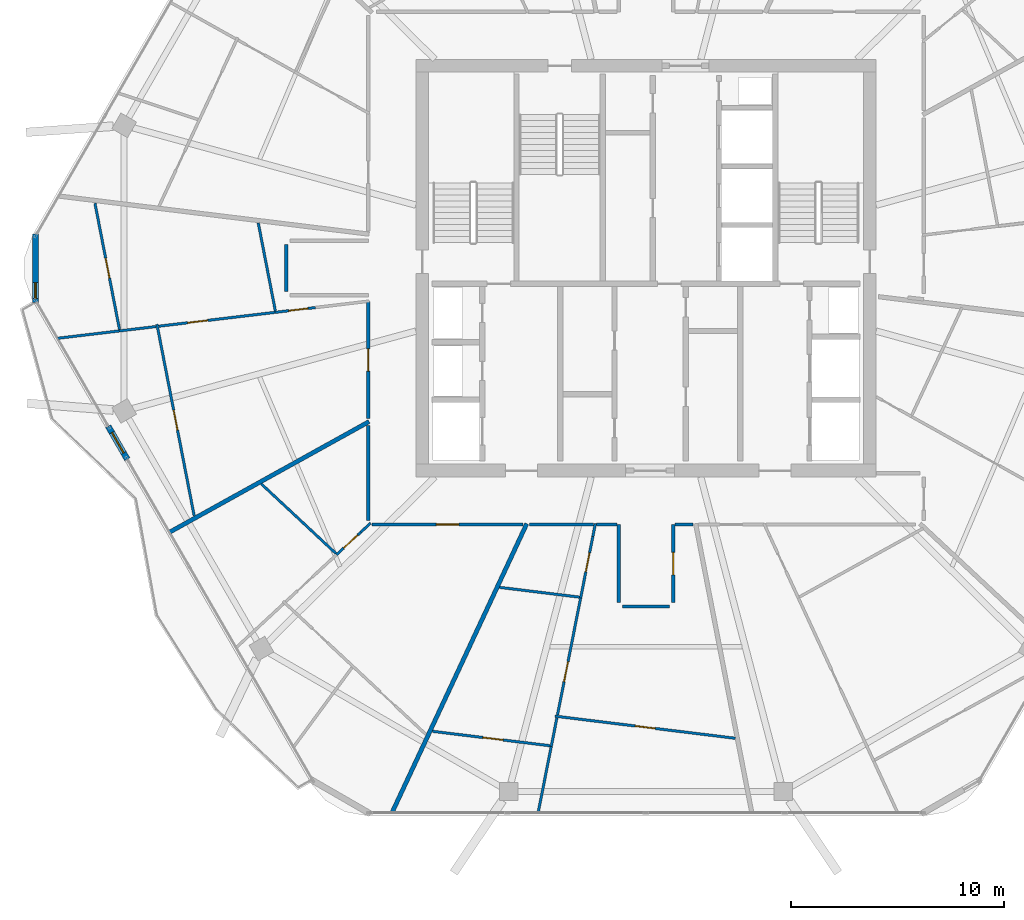
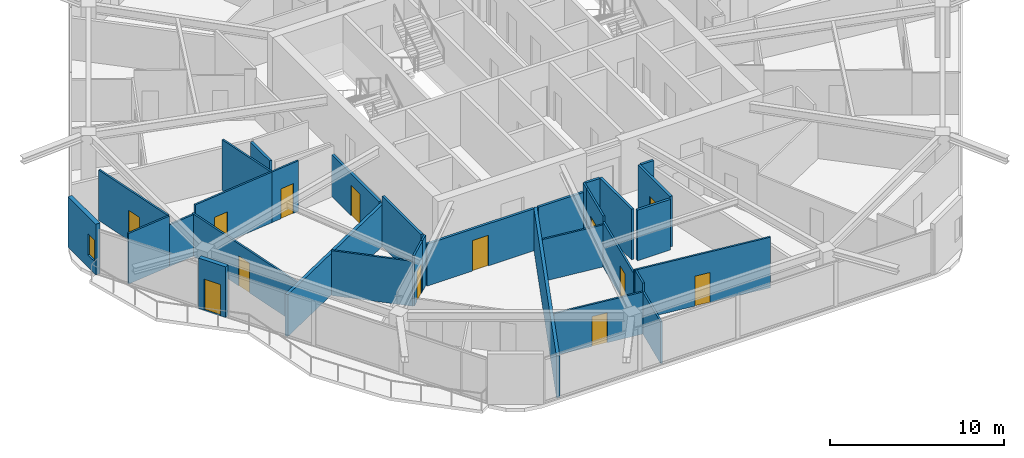
# One storey, part 18 of 26: 32 walls, 13 doors, 1 window, 14 openings.
"""IFC4 building model written with IfcOpenShell, lengths in metres."""

from ifc_helpers import new_model, si_unit, direction, frame, frame_2d, origin, place, context, subcontext, project, spatial, rectangle, extrude, material, layer, layer_set, type_object, element, fill, save


model = new_model("IFC4")

# Units and contexts
model_context = context("Model", 3, precision=1e-05, world=origin(), true_north=direction((0.0, 1.0)))
body_context = subcontext(model_context, "Body", "Model", "MODEL_VIEW")
ifc_project = project(units=[si_unit("LENGTHUNIT", "METRE"), si_unit("AREAUNIT", "SQUARE_METRE"), si_unit("VOLUMEUNIT", "CUBIC_METRE"), si_unit("PLANEANGLEUNIT", "RADIAN"), si_unit("MASSUNIT", "GRAM", prefix="KILO")], contexts=[model_context])

# Site, building, storey
site_placement = place(None, origin())
site = spatial("IfcSite", under=ifc_project, at=site_placement, CompositionType="ELEMENT")
building_placement = place(site_placement, origin())
building = spatial("IfcBuilding", under=site, at=building_placement, Name="Zuhravey Tower", CompositionType="ELEMENT")
storey_placement = place(building_placement, frame((0.0, 0.0, 273.0)))
storey = spatial("IfcBuildingStorey", under=building, at=storey_placement, Name="L69", CompositionType="ELEMENT", Elevation=273.0)

# Wall, opening, door
ifc_material_1 = material(Name="Gypsum fire-rated stud partition")
ifc_layer_1 = layer(ifc_material_1, 0.159912109375)
ifc_layer_set_1 = layer_set([ifc_layer_1], Name="Gypsum fire-rated stud partition")
wall_type_1 = type_object("IfcWallType", Name="Corridor Fire Partition 160", PredefinedType="PARTITIONING", material=ifc_layer_set_1)
wall_1_placement = place(storey_placement, frame((22.969970703125, 30.426025390625, 0.0), z_axis=(0.0, 0.0, 1.0), x_axis=(0.0, -1.0, 0.0)))
wall_1 = element("IfcWall", 1, at=wall_1_placement, inside=storey, type_object=wall_type_1, Name="L69 IW16 Partition 031", PredefinedType="PARTITIONING", context=body_context, shape_type="SweptSolid", body=[
    extrude(rectangle(XDim=5.47802734375, YDim=0.159912109375, at=frame_2d((2.739013671875, 0.0))), origin(), (0.0, 0.0, 1.0), 2.949951171875),
])
opening_1_placement = place(wall_1_placement, frame((2.214111328125, 0.0, 0.0)))
opening_1 = element("IfcOpeningElement", 2, at=opening_1_placement, cuts=wall_1, Name="Opening APD1", PredefinedType="OPENING", context=body_context, shape_type="SweptSolid", body=[
    extrude(rectangle(XDim=1.050048828125, YDim=2.14990234375, at=frame_2d((0.52490234375, 1.074951171875))), frame((0.0, 0.092041015625, 0.0), z_axis=(0.0, -1.0, 0.0), x_axis=(1.0, 0.0, 0.0)), (0.0, 0.0, 1.0), 0.183837890625),
])
ifc_material_2 = material(Name="Solid-core oak fire-rated leaf")
door_type_1 = type_object("IfcDoorType", Name="Apartment Entrance Fire Door 1050x2150", OperationType="NOTDEFINED", PredefinedType="DOOR", material=ifc_material_2)
door_1_placement = place(opening_1_placement, frame((1.050048828125, 0.0, 0.0), z_axis=(0.0, 0.0, 1.0), x_axis=(-1.0, 0.0, 0.0)))
door_1 = element("IfcDoor", 3, at=door_1_placement, inside=storey, type_object=door_type_1, Name="L69 Door 031.1", OperationType="SINGLE_SWING_LEFT", OverallHeight=2.14990234375, OverallWidth=1.050048828125, PredefinedType="DOOR", context=body_context, shape_type="SweptSolid", body=[
    extrude(rectangle(XDim=1.050048828125, YDim=2.14990234375, at=frame_2d((0.52490234375, 1.074951171875))), frame((0.0, 0.02490234375, 0.0), z_axis=(0.0, -1.0, 0.0), x_axis=(1.0, 0.0, 0.0)), (0.0, 0.0, 1.0), 0.050048828125),
])
fill(opening_1, door_1)

wall_2_placement = place(storey_placement, frame((23.14990234375, 19.969970703125, 0.0), z_axis=(0.0, 0.0, 1.0), x_axis=(1.0, 0.0, 0.0)))
wall_2 = element("IfcWall", 4, at=wall_2_placement, inside=storey, type_object=wall_type_1, Name="L69 IW16 Partition 036", PredefinedType="PARTITIONING", context=body_context, shape_type="SweptSolid", body=[
    extrude(rectangle(XDim=7.08984375, YDim=0.159912109375, at=frame_2d((3.544921875, 0.0))), origin(), (0.0, 0.0, 1.0), 2.949951171875),
])
opening_2_placement = place(wall_2_placement, frame((3.02001953125, 0.0, 0.0)))
opening_2 = element("IfcOpeningElement", 5, at=opening_2_placement, cuts=wall_2, Name="Opening APD1", PredefinedType="OPENING", context=body_context, shape_type="SweptSolid", body=[
    extrude(rectangle(XDim=1.050048828125, YDim=2.14990234375, at=frame_2d((0.52490234375, 1.074951171875))), frame((0.0, 0.092041015625, 0.0), z_axis=(0.0, -1.0, 0.0), x_axis=(1.0, 0.0, 0.0)), (0.0, 0.0, 1.0), 0.183837890625),
])
door_2_placement = place(opening_2_placement, frame((1.050048828125, 0.0, 0.0), z_axis=(0.0, 0.0, 1.0), x_axis=(-1.0, 0.0, 0.0)))
door_2 = element("IfcDoor", 6, at=door_2_placement, inside=storey, type_object=door_type_1, Name="L69 Door 036.1", OperationType="SINGLE_SWING_RIGHT", OverallHeight=2.14990234375, OverallWidth=1.050048828125, PredefinedType="DOOR", context=body_context, shape_type="SweptSolid", body=[
    extrude(rectangle(XDim=1.050048828125, YDim=2.14990234375, at=frame_2d((0.52490234375, 1.074951171875))), frame((0.0, 0.02490234375, 0.0), z_axis=(0.0, -1.0, 0.0), x_axis=(1.0, 0.0, 0.0)), (0.0, 0.0, 1.0), 0.050048828125),
])
fill(opening_2, door_2)

wall_3_placement = place(storey_placement, frame((37.280029296875, 16.300048828125, 0.0), z_axis=(0.0, 0.0, 1.0), x_axis=(0.0, 1.0, 0.0)))
wall_3 = element("IfcWall", 7, at=wall_3_placement, inside=storey, type_object=wall_type_1, Name="L69 IW16 Partition 042", PredefinedType="PARTITIONING", context=body_context, shape_type="SweptSolid", body=[
    extrude(rectangle(XDim=3.669921875, YDim=0.159912109375, at=frame_2d((1.8349609375, 0.0))), origin(), (0.0, 0.0, 1.0), 3.550048828125),
])
opening_3_placement = place(wall_3_placement, frame((1.31005859375, 0.0, 0.0)))
opening_3 = element("IfcOpeningElement", 8, at=opening_3_placement, cuts=wall_3, Name="Opening APD1", PredefinedType="OPENING", context=body_context, shape_type="SweptSolid", body=[
    extrude(rectangle(XDim=1.050048828125, YDim=2.14990234375, at=frame_2d((0.52490234375, 1.074951171875))), frame((0.0, 0.092041015625, 0.0), z_axis=(0.0, -1.0, 0.0), x_axis=(1.0, 0.0, 0.0)), (0.0, 0.0, 1.0), 0.183837890625),
])
door_3_placement = place(opening_3_placement, origin())
door_3 = element("IfcDoor", 9, at=door_3_placement, inside=storey, type_object=door_type_1, Name="L69 Door 042.1", OperationType="SINGLE_SWING_LEFT", OverallHeight=2.14990234375, OverallWidth=1.050048828125, PredefinedType="DOOR", context=body_context, shape_type="SweptSolid", body=[
    extrude(rectangle(XDim=1.050048828125, YDim=2.14990234375, at=frame_2d((0.52490234375, 1.074951171875))), frame((0.0, 0.02490234375, 0.0), z_axis=(0.0, -1.0, 0.0), x_axis=(1.0, 0.0, 0.0)), (0.0, 0.0, 1.0), 0.050048828125),
])
fill(opening_3, door_3)

# Walls
wall_4_placement = place(storey_placement, frame((19.1201171875, 33.10009765625, 0.0), z_axis=(0.0, 0.0, 1.0), x_axis=(0.0, -1.0, 0.0)))
element("IfcWall", 10, at=wall_4_placement, inside=storey, type_object=wall_type_1, Name="L69 IW16 Partition 116", PredefinedType="PARTITIONING", context=body_context, shape_type="SweptSolid", body=[
    extrude(rectangle(XDim=2.2001953125, YDim=0.159912109375, at=frame_2d((1.10009765625, 0.0))), origin(), (0.0, 0.0, 1.0), 3.550048828125),
])
wall_5_placement = place(storey_placement, frame((22.969970703125, 24.60498046875, 0.0), z_axis=(0.0, 0.0, 1.0), x_axis=(0.0, -1.0, 0.0)))
element("IfcWall", 11, at=wall_5_placement, inside=storey, type_object=wall_type_1, Name="L69 IW16 Partition 117", PredefinedType="PARTITIONING", context=body_context, shape_type="SweptSolid", body=[
    extrude(rectangle(XDim=4.455078125, YDim=0.159912109375, at=frame_2d((2.2275390625, 0.0))), origin(), (0.0, 0.0, 1.0), 3.550048828125),
])
wall_6_placement = place(storey_placement, frame((34.719970703125, 19.969970703125, 0.0), z_axis=(0.0, 0.0, 1.0), x_axis=(0.0, -1.0, 0.0)))
element("IfcWall", 12, at=wall_6_placement, inside=storey, type_object=wall_type_1, Name="L69 IW16 Partition 118", PredefinedType="PARTITIONING", context=body_context, shape_type="SweptSolid", body=[
    extrude(rectangle(XDim=3.669921875, YDim=0.159912109375, at=frame_2d((1.8349609375, 0.0))), origin(), (0.0, 0.0, 1.0), 3.550048828125),
])
wall_7_placement = place(storey_placement, frame((34.89990234375, 16.1201171875, 0.0), z_axis=(0.0, 0.0, 1.0), x_axis=(1.0, 0.0, 0.0)))
element("IfcWall", 13, at=wall_7_placement, inside=storey, type_object=wall_type_1, Name="L69 IW16 Partition 119", PredefinedType="PARTITIONING", context=body_context, shape_type="SweptSolid", body=[
    extrude(rectangle(XDim=2.2001953125, YDim=0.159912109375, at=frame_2d((1.10009765625, 0.0))), origin(), (0.0, 0.0, 1.0), 3.550048828125),
])
wall_8_placement = place(storey_placement, frame((33.687255859375, 19.969970703125, 0.0), z_axis=(0.0, 0.0, 1.0), x_axis=(1.0, 0.0, 0.0)))
element("IfcWall", 14, at=wall_8_placement, inside=storey, type_object=wall_type_1, Name="L69 IW16 Partition 120", PredefinedType="PARTITIONING", context=body_context, shape_type="SweptSolid", body=[
    extrude(rectangle(XDim=0.94482421875, YDim=0.159912109375, at=frame_2d((0.472412109375, 0.0))), origin(), (0.0, 0.0, 1.0), 3.550048828125),
])
wall_9_placement = place(storey_placement, frame((37.367919921875, 19.969970703125, 0.0), z_axis=(0.0, 0.0, 1.0), x_axis=(1.0, 0.0, 0.0)))
element("IfcWall", 15, at=wall_9_placement, inside=storey, type_object=wall_type_1, Name="L69 IW16 Partition 121", PredefinedType="PARTITIONING", context=body_context, shape_type="SweptSolid", body=[
    extrude(rectangle(XDim=0.84130859375, YDim=0.159912109375, at=frame_2d((0.420654296875, 0.0))), origin(), (0.0, 0.0, 1.0), 3.550048828125),
])
wall_10_placement = place(storey_placement, frame((30.53955078125, 19.969970703125, 0.0), z_axis=(0.0, 0.0, 1.0), x_axis=(1.0, 0.0, 0.0)))
element("IfcWall", 16, at=wall_10_placement, inside=storey, type_object=wall_type_1, Name="L69 IW16 Partition 122", PredefinedType="PARTITIONING", context=body_context, shape_type="SweptSolid", body=[
    extrude(rectangle(XDim=3.009033203125, YDim=0.159912109375, at=frame_2d((1.50439453125, 0.0))), origin(), (0.0, 0.0, 1.0), 2.949951171875),
])

# Wall, opening, door
ifc_material_3 = material(Name="Precast concrete C40/50", Category="concrete")
ifc_layer_2 = layer(ifc_material_3, 0.280029296875)
ifc_layer_set_2 = layer_set([ifc_layer_2], Name="Precast concrete C40/50")
wall_type_2 = type_object("IfcWallType", Name="Crown Architectural Wall 280", PredefinedType="SOLIDWALL", material=ifc_layer_set_2)
wall_11_placement = place(storey_placement, frame((11.66162109375, 23.028076171875, 0.0), z_axis=(0.0, 0.0, 1.0), x_axis=(-0.499982180423, 0.866035691677, 0.0)))
wall_11 = element("IfcWall", 17, at=wall_11_placement, inside=storey, type_object=wall_type_2, Name="L69 Face 4 Facade Pier EW28-1", PredefinedType="SOLIDWALL", context=body_context, shape_type="SweptSolid", body=[
    extrude(rectangle(XDim=1.7900390625, YDim=0.280029296875, at=frame_2d((0.89501953125, 0.0))), origin(), (0.0, 0.0, 1.0), 3.550048828125),
])
opening_4_placement = place(wall_11_placement, frame((0.344970703125, 0.0, 0.0)))
opening_4 = element("IfcOpeningElement", 18, at=opening_4_placement, cuts=wall_11, Name="Opening BLD1", PredefinedType="OPENING", context=body_context, shape_type="SweptSolid", body=[
    extrude(rectangle(XDim=1.10009765625, YDim=2.199951171875, at=frame_2d((0.550048828125, 1.10009765625))), frame((0.0, 0.152099609375, 0.0), z_axis=(0.0, -1.0, 0.0), x_axis=(1.0, 0.0, 0.0)), (0.0, 0.0, 1.0), 0.303955078125),
])
ifc_material_4 = material(Name="Thermally broken aluminium and low-E glass", Category="aluminium")
door_type_2 = type_object("IfcDoorType", Name="Balcony & Sky-Tray Glazed Door 1100x2200", OperationType="NOTDEFINED", PredefinedType="DOOR", material=ifc_material_4)
door_4_placement = place(opening_4_placement, frame((1.10009765625, 0.0, 0.0), z_axis=(0.0, 0.0, 1.0), x_axis=(-1.0, 0.0, 0.0)))
door_4 = element("IfcDoor", 19, at=door_4_placement, inside=storey, type_object=door_type_2, Name="L69 Face 4 Wave Balcony Door", OperationType="SINGLE_SWING_LEFT", OverallHeight=2.199951171875, OverallWidth=1.10009765625, PredefinedType="DOOR", context=body_context, shape_type="SweptSolid", body=[
    extrude(rectangle(XDim=1.10009765625, YDim=2.199951171875, at=frame_2d((0.550048828125, 1.10009765625))), frame((0.0, 0.02490234375, 0.0), z_axis=(0.0, -1.0, 0.0), x_axis=(1.0, 0.0, 0.0)), (0.0, 0.0, 1.0), 0.050048828125),
])
fill(opening_4, door_4)

# Wall, opening, window
wall_12_placement = place(storey_placement, frame((7.35498046875, 30.392578125, 0.0), z_axis=(0.0, 0.0, 1.0), x_axis=(0.0, 1.0, 0.0)))
wall_12 = element("IfcWall", 20, at=wall_12_placement, inside=storey, type_object=wall_type_2, Name="L69 Rounded Corner Closure Wall EW28-06", PredefinedType="SOLIDWALL", context=body_context, shape_type="SweptSolid", body=[
    extrude(rectangle(XDim=3.21484375, YDim=0.280029296875, at=frame_2d((1.607421875, 0.0))), origin(), (0.0, 0.0, 1.0), 3.550048828125),
])
opening_5_placement = place(wall_12_placement, frame((0.17578125, 0.0, 0.85009765625)))
opening_5 = element("IfcOpeningElement", 21, at=opening_5_placement, cuts=wall_12, Name="Opening WN5", PredefinedType="OPENING", context=body_context, shape_type="SweptSolid", body=[
    extrude(rectangle(XDim=0.75, YDim=1.5, at=frame_2d((0.375, 0.75))), frame((0.0, 0.152099609375, 0.0), z_axis=(0.0, -1.0, 0.0), x_axis=(1.0, 0.0, 0.0)), (0.0, 0.0, 1.0), 0.303955078125),
])
ifc_material_5 = material(Name="Thermally broken aluminium and triple low-E glass", Category="aluminium")
window_type = type_object("IfcWindowType", Name="Residential Corner Casement Window 750x1500", PartitioningType="SINGLE_PANEL", PredefinedType="WINDOW", material=ifc_material_5)
window_placement = place(opening_5_placement, origin())
window = element("IfcWindow", 22, at=window_placement, inside=storey, type_object=window_type, Name="L69 Corner Casement Window WN5-06.1", OverallHeight=1.5, OverallWidth=0.75, PartitioningType="SINGLE_PANEL", PredefinedType="WINDOW", context=body_context, shape_type="SweptSolid", body=[
    extrude(rectangle(XDim=0.75, YDim=1.5, at=frame_2d((0.375, 0.75))), frame((0.0, 0.030029296875, 0.0), z_axis=(0.0, -1.0, 0.0), x_axis=(1.0, 0.0, 0.0)), (0.0, 0.0, 1.0), 0.06005859375),
])
fill(opening_5, window)

# Walls
ifc_material_6 = material(Name="Gypsum double-stud party assembly")
ifc_layer_3 = layer(ifc_material_6, 0.199951171875)
ifc_layer_set_3 = layer_set([ifc_layer_3], Name="Gypsum double-stud party assembly")
wall_type_3 = type_object("IfcWallType", Name="Inter-Tenancy Party Wall 200", PredefinedType="PARTITIONING", material=ifc_layer_set_3)
wall_13_placement = place(storey_placement, frame((23.010009765625, 24.799560546875, 0.0), z_axis=(0.0, 0.0, 1.0), x_axis=(-0.874612572959, -0.484822490426, 0.0)))
element("IfcWall", 23, at=wall_13_placement, inside=storey, type_object=wall_type_3, Name="L69 IW20 Partition 082", PredefinedType="PARTITIONING", context=body_context, shape_type="SweptSolid", body=[
    extrude(rectangle(XDim=10.71533203125, YDim=0.199951171875, at=frame_2d((5.357666015625, 0.0))), origin(), (0.0, 0.0, 1.0), 2.929931640625),
])
wall_14_placement = place(storey_placement, frame((30.408935546875, 20.010009765625, 0.0), z_axis=(0.0, 0.0, 1.0), x_axis=(-0.422607909104, -0.906312614479, 0.0)))
element("IfcWall", 24, at=wall_14_placement, inside=storey, type_object=wall_type_3, Name="L69 IW20 Partition 086", PredefinedType="PARTITIONING", context=body_context, shape_type="SweptSolid", body=[
    extrude(rectangle(XDim=14.976806640625, YDim=0.199951171875, at=frame_2d((7.48828125, 0.0))), origin(), (0.0, 0.0, 1.0), 2.929931640625),
])

# Wall, opening, door
ifc_material_7 = material(Name="Gypsum metal-stud partition")
ifc_layer_4 = layer(ifc_material_7, 0.1201171875)
ifc_layer_set_4 = layer_set([ifc_layer_4], Name="Gypsum metal-stud partition")
wall_type_4 = type_object("IfcWallType", Name="Unit Internal Partition 120", PredefinedType="PARTITIONING", material=ifc_layer_set_4)
wall_15_placement = place(storey_placement, frame((13.052734375, 29.364501953125, 0.0), z_axis=(0.0, 0.0, 1.0), x_axis=(0.190811857209, -0.981626627159, 0.0)))
wall_15 = element("IfcWall", 25, at=wall_15_placement, inside=storey, type_object=wall_type_4, Name="L69 IW12 Partition 026", PredefinedType="PARTITIONING", context=body_context, shape_type="SweptSolid", body=[
    extrude(rectangle(XDim=9.1572265625, YDim=0.1201171875, at=frame_2d((4.57861328125, 0.0))), origin(), (0.0, 0.0, 1.0), 2.949951171875),
])
opening_6_placement = place(wall_15_placement, frame((4.103515625, 0.0, 0.0)))
opening_6 = element("IfcOpeningElement", 26, at=opening_6_placement, cuts=wall_15, Name="Opening IND1", PredefinedType="OPENING", context=body_context, shape_type="SweptSolid", body=[
    extrude(rectangle(XDim=0.949951171875, YDim=2.10009765625, at=frame_2d((0.47509765625, 1.050048828125))), frame((0.0, 0.072021484375, 0.0), z_axis=(0.0, -1.0, 0.0), x_axis=(1.0, 0.0, 0.0)), (0.0, 0.0, 1.0), 0.14404296875),
])
ifc_material_8 = material(Name="Painted engineered timber leaf", Category="wood")
door_type_3 = type_object("IfcDoorType", Name="Internal Room & Bedroom Door 950x2100", OperationType="NOTDEFINED", PredefinedType="DOOR", material=ifc_material_8)
door_5_placement = place(opening_6_placement, frame((0.949951171875, 0.0, 0.0), z_axis=(0.0, 0.0, 1.0), x_axis=(-1.0, 0.0, 0.0)))
door_5 = element("IfcDoor", 27, at=door_5_placement, inside=storey, type_object=door_type_3, Name="Apartment L69-02 Family Study Door", OperationType="SINGLE_SWING_LEFT", OverallHeight=2.10009765625, OverallWidth=0.949951171875, PredefinedType="DOOR", context=body_context, shape_type="SweptSolid", body=[
    extrude(rectangle(XDim=0.949951171875, YDim=2.10009765625, at=frame_2d((0.47509765625, 1.050048828125))), frame((0.0, 0.02490234375, 0.0), z_axis=(0.0, -1.0, 0.0), x_axis=(1.0, 0.0, 0.0)), (0.0, 0.0, 1.0), 0.050048828125),
])
fill(opening_6, door_5)

wall_16_placement = place(storey_placement, frame((20.485595703125, 30.14990234375, 0.0), z_axis=(0.0, 0.0, 1.0), x_axis=(-0.992972480761, -0.118345479222, 0.0)))
wall_16 = element("IfcWall", 28, at=wall_16_placement, inside=storey, type_object=wall_type_4, Name="L69 IW12 Partition 027", PredefinedType="PARTITIONING", context=body_context, shape_type="SweptSolid", body=[
    extrude(rectangle(XDim=1.902099609375, YDim=0.1201171875, at=frame_2d((0.951171875, 0.0))), origin(), (0.0, 0.0, 1.0), 3.550048828125),
])
opening_7_placement = place(wall_16_placement, frame((0.348876953125, 0.0, 0.0)))
opening_7 = element("IfcOpeningElement", 29, at=opening_7_placement, cuts=wall_16, Name="Opening WCD1", PredefinedType="OPENING", context=body_context, shape_type="SweptSolid", body=[
    extrude(rectangle(XDim=0.89990234375, YDim=2.10009765625, at=frame_2d((0.449951171875, 1.050048828125))), frame((0.0, 0.072021484375, 0.0), z_axis=(0.0, -1.0, 0.0), x_axis=(1.0, 0.0, 0.0)), (0.0, 0.0, 1.0), 0.14404296875),
])
ifc_material_9 = material(Name="Moisture-resistant timber leaf", Category="wood")
door_type_4 = type_object("IfcDoorType", Name="Bathroom & WC Internal Door 900x2100", OperationType="NOTDEFINED", PredefinedType="DOOR", material=ifc_material_9)
door_6_placement = place(opening_7_placement, frame((0.89990234375, 0.0, 0.0), z_axis=(0.0, 0.0, 1.0), x_axis=(-1.0, 0.0, 0.0)))
door_6 = element("IfcDoor", 30, at=door_6_placement, inside=storey, type_object=door_type_4, Name="Apartment L69-02 Bathroom Door", OperationType="SINGLE_SWING_RIGHT", OverallHeight=2.10009765625, OverallWidth=0.89990234375, PredefinedType="DOOR", context=body_context, shape_type="SweptSolid", body=[
    extrude(rectangle(XDim=0.89990234375, YDim=2.10009765625, at=frame_2d((0.449951171875, 1.050048828125))), frame((0.0, 0.02490234375, 0.0), z_axis=(0.0, -1.0, 0.0), x_axis=(1.0, 0.0, 0.0)), (0.0, 0.0, 1.0), 0.050048828125),
])
fill(opening_7, door_6)

wall_17_placement = place(storey_placement, frame((18.596923828125, 29.9248046875, 0.0), z_axis=(0.0, 0.0, 1.0), x_axis=(-0.992967773956, -0.118384964774, 0.0)))
wall_17 = element("IfcWall", 31, at=wall_17_placement, inside=storey, type_object=wall_type_4, Name="L69 IW12 Partition 028", PredefinedType="PARTITIONING", context=body_context, shape_type="SweptSolid", body=[
    extrude(rectangle(XDim=5.495849609375, YDim=0.1201171875, at=frame_2d((2.748046875, 0.0))), origin(), (0.0, 0.0, 1.0), 3.550048828125),
])
opening_8_placement = place(wall_17_placement, frame((3.18310546875, 0.0, 0.0)))
opening_8 = element("IfcOpeningElement", 32, at=opening_8_placement, cuts=wall_17, Name="Opening IND1", PredefinedType="OPENING", context=body_context, shape_type="SweptSolid", body=[
    extrude(rectangle(XDim=0.949951171875, YDim=2.10009765625, at=frame_2d((0.47509765625, 1.050048828125))), frame((0.0, 0.072021484375, 0.0), z_axis=(0.0, -1.0, 0.0), x_axis=(1.0, 0.0, 0.0)), (0.0, 0.0, 1.0), 0.14404296875),
])
door_7_placement = place(opening_8_placement, frame((0.949951171875, 0.0, 0.0), z_axis=(0.0, 0.0, 1.0), x_axis=(-1.0, 0.0, 0.0)))
door_7 = element("IfcDoor", 33, at=door_7_placement, inside=storey, type_object=door_type_3, Name="Apartment L69-02 Home Office Door", OperationType="SINGLE_SWING_LEFT", OverallHeight=2.10009765625, OverallWidth=0.949951171875, PredefinedType="DOOR", context=body_context, shape_type="SweptSolid", body=[
    extrude(rectangle(XDim=0.949951171875, YDim=2.10009765625, at=frame_2d((0.47509765625, 1.050048828125))), frame((0.0, 0.02490234375, 0.0), z_axis=(0.0, -1.0, 0.0), x_axis=(1.0, 0.0, 0.0)), (0.0, 0.0, 1.0), 0.050048828125),
])
fill(opening_8, door_7)

# Wall
wall_18_placement = place(storey_placement, frame((13.004150390625, 29.2578125, 0.0), z_axis=(0.0, 0.0, 1.0), x_axis=(-0.992978430898, -0.118295544172, 0.0)))
element("IfcWall", 34, at=wall_18_placement, inside=storey, type_object=wall_type_4, Name="L69 IW12 Partition 029", PredefinedType="PARTITIONING", context=body_context, shape_type="SweptSolid", body=[
    extrude(rectangle(XDim=1.733642578125, YDim=0.1201171875, at=frame_2d((0.86669921875, 0.0))), origin(), (0.0, 0.0, 1.0), 2.929931640625),
])

# Wall, opening, door
wall_19_placement = place(storey_placement, frame((10.143310546875, 35.046630859375, 0.0), z_axis=(0.0, 0.0, 1.0), x_axis=(0.190784117101, -0.981632018967, 0.0)))
wall_19 = element("IfcWall", 35, at=wall_19_placement, inside=storey, type_object=wall_type_4, Name="L69 IW12 Partition 030", PredefinedType="PARTITIONING", context=body_context, shape_type="SweptSolid", body=[
    extrude(rectangle(XDim=6.034912109375, YDim=0.1201171875, at=frame_2d((3.017578125, 0.0))), origin(), (0.0, 0.0, 1.0), 3.550048828125),
])
opening_9_placement = place(wall_19_placement, frame((2.626708984375, 0.0, 0.0)))
opening_9 = element("IfcOpeningElement", 36, at=opening_9_placement, cuts=wall_19, Name="Opening IND1", PredefinedType="OPENING", context=body_context, shape_type="SweptSolid", body=[
    extrude(rectangle(XDim=0.949951171875, YDim=2.10009765625, at=frame_2d((0.47509765625, 1.050048828125))), frame((0.0, 0.072021484375, 0.0), z_axis=(0.0, -1.0, 0.0), x_axis=(1.0, 0.0, 0.0)), (0.0, 0.0, 1.0), 0.14404296875),
])
door_8_placement = place(opening_9_placement, frame((0.949951171875, 0.0, 0.0), z_axis=(0.0, 0.0, 1.0), x_axis=(-1.0, 0.0, 0.0)))
door_8 = element("IfcDoor", 37, at=door_8_placement, inside=storey, type_object=door_type_3, Name="Apartment L69-02 Bedroom 1 Door", OperationType="SINGLE_SWING_RIGHT", OverallHeight=2.10009765625, OverallWidth=0.949951171875, PredefinedType="DOOR", context=body_context, shape_type="SweptSolid", body=[
    extrude(rectangle(XDim=0.949951171875, YDim=2.10009765625, at=frame_2d((0.47509765625, 1.050048828125))), frame((0.0, 0.02490234375, 0.0), z_axis=(0.0, -1.0, 0.0), x_axis=(1.0, 0.0, 0.0)), (0.0, 0.0, 1.0), 0.050048828125),
])
fill(opening_9, door_8)

wall_20_placement = place(storey_placement, frame((22.625, 19.61474609375, 0.0), z_axis=(0.0, 0.0, 1.0), x_axis=(-0.733731867306, -0.679439141424, 0.0)))
wall_20 = element("IfcWall", 38, at=wall_20_placement, inside=storey, type_object=wall_type_4, Name="L69 IW12 Partition 033", PredefinedType="PARTITIONING", context=body_context, shape_type="SweptSolid", body=[
    extrude(rectangle(XDim=1.56494140625, YDim=0.1201171875, at=frame_2d((0.782470703125, 0.0))), origin(), (0.0, 0.0, 1.0), 3.550048828125),
])
opening_10_placement = place(wall_20_placement, frame((0.207275390625, 0.0, 0.0)))
opening_10 = element("IfcOpeningElement", 39, at=opening_10_placement, cuts=wall_20, Name="Opening WCD1", PredefinedType="OPENING", context=body_context, shape_type="SweptSolid", body=[
    extrude(rectangle(XDim=0.89990234375, YDim=2.10009765625, at=frame_2d((0.449951171875, 1.050048828125))), frame((0.0, 0.072021484375, 0.0), z_axis=(0.0, -1.0, 0.0), x_axis=(1.0, 0.0, 0.0)), (0.0, 0.0, 1.0), 0.14404296875),
])
door_9_placement = place(opening_10_placement, frame((0.89990234375, 0.0, 0.0), z_axis=(0.0, 0.0, 1.0), x_axis=(-1.0, 0.0, 0.0)))
door_9 = element("IfcDoor", 40, at=door_9_placement, inside=storey, type_object=door_type_4, Name="Apartment L69-03 Bathroom Door", OperationType="SINGLE_SWING_RIGHT", OverallHeight=2.10009765625, OverallWidth=0.89990234375, PredefinedType="DOOR", context=body_context, shape_type="SweptSolid", body=[
    extrude(rectangle(XDim=0.89990234375, YDim=2.10009765625, at=frame_2d((0.449951171875, 1.050048828125))), frame((0.0, 0.02490234375, 0.0), z_axis=(0.0, -1.0, 0.0), x_axis=(1.0, 0.0, 0.0)), (0.0, 0.0, 1.0), 0.050048828125),
])
fill(opening_10, door_9)

wall_21_placement = place(storey_placement, frame((31.735107421875, 10.97607421875, 0.0), z_axis=(0.0, 0.0, 1.0), x_axis=(0.992544489296, -0.121882881359, 0.0)))
wall_21 = element("IfcWall", 41, at=wall_21_placement, inside=storey, type_object=wall_type_4, Name="L69 IW12 Partition 037", PredefinedType="PARTITIONING", context=body_context, shape_type="SweptSolid", body=[
    extrude(rectangle(XDim=8.51904296875, YDim=0.1201171875, at=frame_2d((4.259521484375, 0.0))), origin(), (0.0, 0.0, 1.0), 3.550048828125),
])
opening_11_placement = place(wall_21_placement, frame((3.784423828125, 0.0, 0.0)))
opening_11 = element("IfcOpeningElement", 42, at=opening_11_placement, cuts=wall_21, Name="Opening IND1", PredefinedType="OPENING", context=body_context, shape_type="SweptSolid", body=[
    extrude(rectangle(XDim=0.949951171875, YDim=2.10009765625, at=frame_2d((0.47509765625, 1.050048828125))), frame((0.0, 0.072021484375, 0.0), z_axis=(0.0, -1.0, 0.0), x_axis=(1.0, 0.0, 0.0)), (0.0, 0.0, 1.0), 0.14404296875),
])
door_10_placement = place(opening_11_placement, frame((0.949951171875, 0.0, 0.0), z_axis=(0.0, 0.0, 1.0), x_axis=(-1.0, 0.0, 0.0)))
door_10 = element("IfcDoor", 43, at=door_10_placement, inside=storey, type_object=door_type_3, Name="Apartment L69-04 Family Study Door", OperationType="SINGLE_SWING_LEFT", OverallHeight=2.10009765625, OverallWidth=0.949951171875, PredefinedType="DOOR", context=body_context, shape_type="SweptSolid", body=[
    extrude(rectangle(XDim=0.949951171875, YDim=2.10009765625, at=frame_2d((0.47509765625, 1.050048828125))), frame((0.0, 0.02490234375, 0.0), z_axis=(0.0, -1.0, 0.0), x_axis=(1.0, 0.0, 0.0)), (0.0, 0.0, 1.0), 0.050048828125),
])
fill(opening_11, door_10)

wall_22_placement = place(storey_placement, frame((33.505126953125, 19.39990234375, 0.0), z_axis=(0.0, 0.0, 1.0), x_axis=(-0.194223379767, -0.980957327692, 0.0)))
wall_22 = element("IfcWall", 44, at=wall_22_placement, inside=storey, type_object=wall_type_4, Name="L69 IW12 Partition 038", PredefinedType="PARTITIONING", context=body_context, shape_type="SweptSolid", body=[
    extrude(rectangle(XDim=2.927490234375, YDim=0.1201171875, at=frame_2d((1.4638671875, 0.0))), origin(), (0.0, 0.0, 1.0), 3.550048828125),
])
opening_12_placement = place(wall_22_placement, frame((0.77978515625, 0.0, 0.0)))
opening_12 = element("IfcOpeningElement", 45, at=opening_12_placement, cuts=wall_22, Name="Opening WCD1", PredefinedType="OPENING", context=body_context, shape_type="SweptSolid", body=[
    extrude(rectangle(XDim=0.89990234375, YDim=2.10009765625, at=frame_2d((0.449951171875, 1.050048828125))), frame((0.0, 0.072021484375, 0.0), z_axis=(0.0, -1.0, 0.0), x_axis=(1.0, 0.0, 0.0)), (0.0, 0.0, 1.0), 0.14404296875),
])
door_11_placement = place(opening_12_placement, frame((0.89990234375, 0.0, 0.0), z_axis=(0.0, 0.0, 1.0), x_axis=(-1.0, 0.0, 0.0)))
door_11 = element("IfcDoor", 46, at=door_11_placement, inside=storey, type_object=door_type_4, Name="Apartment L69-04 Bathroom Door", OperationType="SINGLE_SWING_RIGHT", OverallHeight=2.10009765625, OverallWidth=0.89990234375, PredefinedType="DOOR", context=body_context, shape_type="SweptSolid", body=[
    extrude(rectangle(XDim=0.89990234375, YDim=2.10009765625, at=frame_2d((0.449951171875, 1.050048828125))), frame((0.0, 0.02490234375, 0.0), z_axis=(0.0, -1.0, 0.0), x_axis=(1.0, 0.0, 0.0)), (0.0, 0.0, 1.0), 0.050048828125),
])
fill(opening_12, door_11)

wall_23_placement = place(storey_placement, frame((32.9365234375, 16.528076171875, 0.0), z_axis=(0.0, 0.0, 1.0), x_axis=(-0.194255896186, -0.980950889085, 0.0)))
wall_23 = element("IfcWall", 47, at=wall_23_placement, inside=storey, type_object=wall_type_4, Name="L69 IW12 Partition 039", PredefinedType="PARTITIONING", context=body_context, shape_type="SweptSolid", body=[
    extrude(rectangle(XDim=5.60400390625, YDim=0.1201171875, at=frame_2d((2.802001953125, 0.0))), origin(), (0.0, 0.0, 1.0), 3.14990234375),
])
opening_13_placement = place(wall_23_placement, frame((3.05419921875, 0.0, 0.0)))
opening_13 = element("IfcOpeningElement", 48, at=opening_13_placement, cuts=wall_23, Name="Opening IND1", PredefinedType="OPENING", context=body_context, shape_type="SweptSolid", body=[
    extrude(rectangle(XDim=0.949951171875, YDim=2.10009765625, at=frame_2d((0.47509765625, 1.050048828125))), frame((0.0, 0.072021484375, 0.0), z_axis=(0.0, -1.0, 0.0), x_axis=(1.0, 0.0, 0.0)), (0.0, 0.0, 1.0), 0.14404296875),
])
door_12_placement = place(opening_13_placement, frame((0.949951171875, 0.0, 0.0), z_axis=(0.0, 0.0, 1.0), x_axis=(-1.0, 0.0, 0.0)))
door_12 = element("IfcDoor", 49, at=door_12_placement, inside=storey, type_object=door_type_3, Name="Apartment L69-04 Home Office Door", OperationType="SINGLE_SWING_LEFT", OverallHeight=2.10009765625, OverallWidth=0.949951171875, PredefinedType="DOOR", context=body_context, shape_type="SweptSolid", body=[
    extrude(rectangle(XDim=0.949951171875, YDim=2.10009765625, at=frame_2d((0.47509765625, 1.050048828125))), frame((0.0, 0.02490234375, 0.0), z_axis=(0.0, -1.0, 0.0), x_axis=(1.0, 0.0, 0.0)), (0.0, 0.0, 1.0), 0.050048828125),
])
fill(opening_13, door_12)

# Wall
wall_24_placement = place(storey_placement, frame((31.821533203125, 10.89697265625, 0.0), z_axis=(0.0, 0.0, 1.0), x_axis=(-0.194227600247, -0.980956492054, 0.0)))
element("IfcWall", 50, at=wall_24_placement, inside=storey, type_object=wall_type_4, Name="L69 IW12 Partition 040", PredefinedType="PARTITIONING", context=body_context, shape_type="SweptSolid", body=[
    extrude(rectangle(XDim=1.36767578125, YDim=0.1201171875, at=frame_2d((0.683837890625, 0.0))), origin(), (0.0, 0.0, 1.0), 3.550048828125),
])

# Wall, opening, door
wall_25_placement = place(storey_placement, frame((25.984619140625, 10.2646484375, 0.0), z_axis=(0.0, 0.0, 1.0), x_axis=(0.992542241385, -0.121901185661, 0.0)))
wall_25 = element("IfcWall", 51, at=wall_25_placement, inside=storey, type_object=wall_type_4, Name="L69 IW12 Partition 041", PredefinedType="PARTITIONING", context=body_context, shape_type="SweptSolid", body=[
    extrude(rectangle(XDim=5.5498046875, YDim=0.1201171875, at=frame_2d((2.77490234375, 0.0))), origin(), (0.0, 0.0, 1.0), 2.949951171875),
])
opening_14_placement = place(wall_25_placement, frame((2.384033203125, 0.0, 0.0)))
opening_14 = element("IfcOpeningElement", 52, at=opening_14_placement, cuts=wall_25, Name="Opening IND1", PredefinedType="OPENING", context=body_context, shape_type="SweptSolid", body=[
    extrude(rectangle(XDim=0.949951171875, YDim=2.10009765625, at=frame_2d((0.47509765625, 1.050048828125))), frame((0.0, 0.072021484375, 0.0), z_axis=(0.0, -1.0, 0.0), x_axis=(1.0, 0.0, 0.0)), (0.0, 0.0, 1.0), 0.14404296875),
])
door_13_placement = place(opening_14_placement, frame((0.949951171875, 0.0, 0.0), z_axis=(0.0, 0.0, 1.0), x_axis=(-1.0, 0.0, 0.0)))
door_13 = element("IfcDoor", 53, at=door_13_placement, inside=storey, type_object=door_type_3, Name="Apartment L69-04 Bedroom 1 Door", OperationType="SINGLE_SWING_RIGHT", OverallHeight=2.10009765625, OverallWidth=0.949951171875, PredefinedType="DOOR", context=body_context, shape_type="SweptSolid", body=[
    extrude(rectangle(XDim=0.949951171875, YDim=2.10009765625, at=frame_2d((0.47509765625, 1.050048828125))), frame((0.0, 0.02490234375, 0.0), z_axis=(0.0, -1.0, 0.0), x_axis=(1.0, 0.0, 0.0)), (0.0, 0.0, 1.0), 0.050048828125),
])
fill(opening_14, door_13)

# Walls
wall_26_placement = place(storey_placement, frame((11.28271484375, 29.052734375, 0.0), z_axis=(0.0, 0.0, 1.0), x_axis=(-0.992964231091, -0.118414677193, 0.0)))
element("IfcWall", 54, at=wall_26_placement, inside=storey, type_object=wall_type_4, Name="L69 IW12 Partition 080", PredefinedType="PARTITIONING", context=body_context, shape_type="SweptSolid", body=[
    extrude(rectangle(XDim=2.925537109375, YDim=0.1201171875, at=frame_2d((1.462890625, 0.0))), origin(), (0.0, 0.0, 1.0), 3.550048828125),
])
wall_27_placement = place(storey_placement, frame((17.805908203125, 34.125244140625, 0.0), z_axis=(0.0, 0.0, 1.0), x_axis=(0.190824624048, -0.981624145413, 0.0)))
element("IfcWall", 55, at=wall_27_placement, inside=storey, type_object=wall_type_4, Name="L69 IW12 Partition 081", PredefinedType="PARTITIONING", context=body_context, shape_type="SweptSolid", body=[
    extrude(rectangle(XDim=4.2080078125, YDim=0.1201171875, at=frame_2d((2.10400390625, 0.0))), origin(), (0.0, 0.0, 1.0), 3.550048828125),
])
wall_28_placement = place(storey_placement, frame((23.07861328125, 20.03466796875, 0.0), z_axis=(0.0, 0.0, 1.0), x_axis=(-0.733833594252, -0.679329269167, 0.0)))
element("IfcWall", 56, at=wall_28_placement, inside=storey, type_object=wall_type_4, Name="L69 IW12 Partition 084", PredefinedType="PARTITIONING", context=body_context, shape_type="SweptSolid", body=[
    extrude(rectangle(XDim=0.6181640625, YDim=0.1201171875, at=frame_2d((0.30908203125, 0.0))), origin(), (0.0, 0.0, 1.0), 3.550048828125),
])
wall_29_placement = place(storey_placement, frame((17.9521484375, 21.872314453125, 0.0), z_axis=(0.0, 0.0, 1.0), x_axis=(0.731364558904, -0.681986716864, 0.0)))
element("IfcWall", 57, at=wall_29_placement, inside=storey, type_object=wall_type_4, Name="L69 IW12 Partition 085", PredefinedType="PARTITIONING", context=body_context, shape_type="SweptSolid", body=[
    extrude(rectangle(XDim=4.776123046875, YDim=0.1201171875, at=frame_2d((2.38818359375, 0.0))), origin(), (0.0, 0.0, 1.0), 3.14990234375),
])
wall_30_placement = place(storey_placement, frame((33.626708984375, 20.014404296875, 0.0), z_axis=(0.0, 0.0, 1.0), x_axis=(-0.194092051537, -0.98098332072, 0.0)))
element("IfcWall", 58, at=wall_30_placement, inside=storey, type_object=wall_type_4, Name="L69 IW12 Partition 087", PredefinedType="PARTITIONING", context=body_context, shape_type="SweptSolid", body=[
    extrude(rectangle(XDim=0.62646484375, YDim=0.1201171875, at=frame_2d((0.313232421875, 0.0))), origin(), (0.0, 0.0, 1.0), 3.550048828125),
])
wall_31_placement = place(storey_placement, frame((31.555908203125, 9.555419921875, 0.0), z_axis=(0.0, 0.0, 1.0), x_axis=(-0.19425823532, -0.980950425868, 0.0)))
element("IfcWall", 59, at=wall_31_placement, inside=storey, type_object=wall_type_4, Name="L69 IW12 Partition 088", PredefinedType="PARTITIONING", context=body_context, shape_type="SweptSolid", body=[
    extrude(rectangle(XDim=3.1845703125, YDim=0.1201171875, at=frame_2d((1.59228515625, 0.0))), origin(), (0.0, 0.0, 1.0), 2.929931640625),
])
wall_32_placement = place(storey_placement, frame((29.1337890625, 17.02001953125, 0.0), z_axis=(0.0, 0.0, 1.0), x_axis=(0.992545655443, -0.121873384548, 0.0)))
element("IfcWall", 60, at=wall_32_placement, inside=storey, type_object=wall_type_4, Name="L69 IW12 Partition 089", PredefinedType="PARTITIONING", context=body_context, shape_type="SweptSolid", body=[
    extrude(rectangle(XDim=3.76806640625, YDim=0.1201171875, at=frame_2d((1.884033203125, 0.0))), origin(), (0.0, 0.0, 1.0), 2.949951171875),
])

save(model, "model.ifc")
